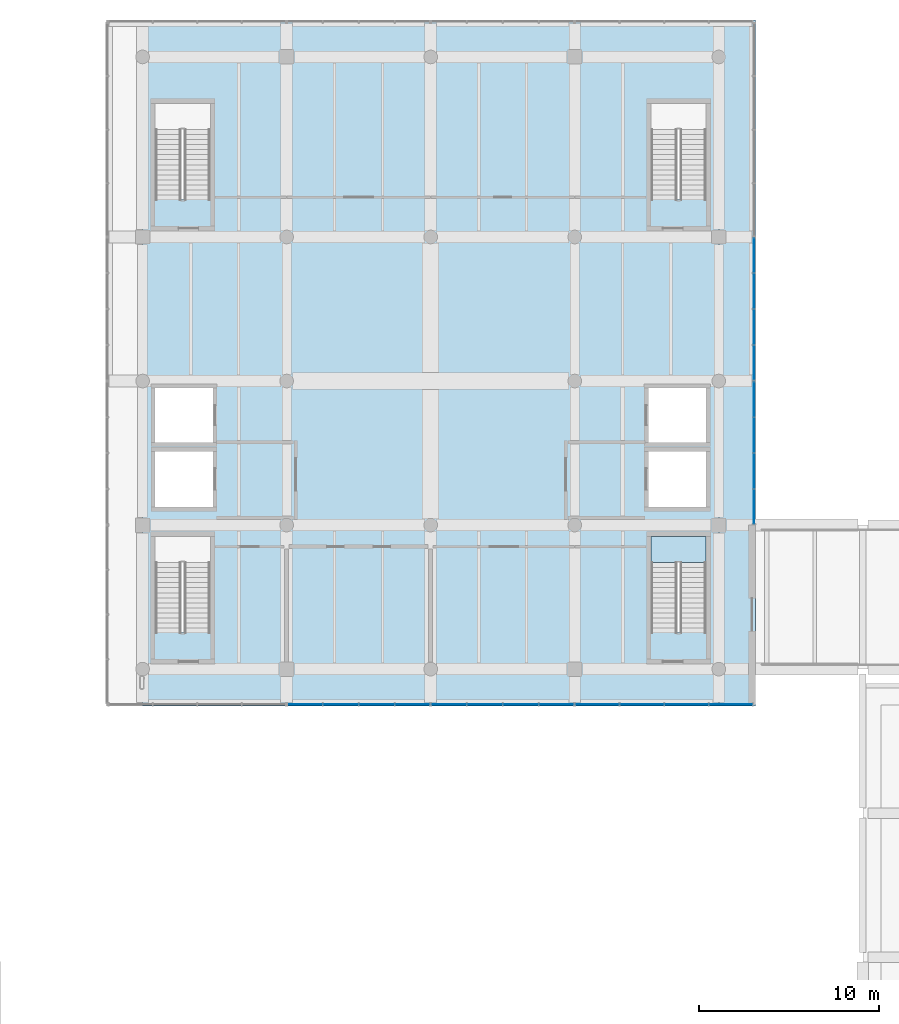
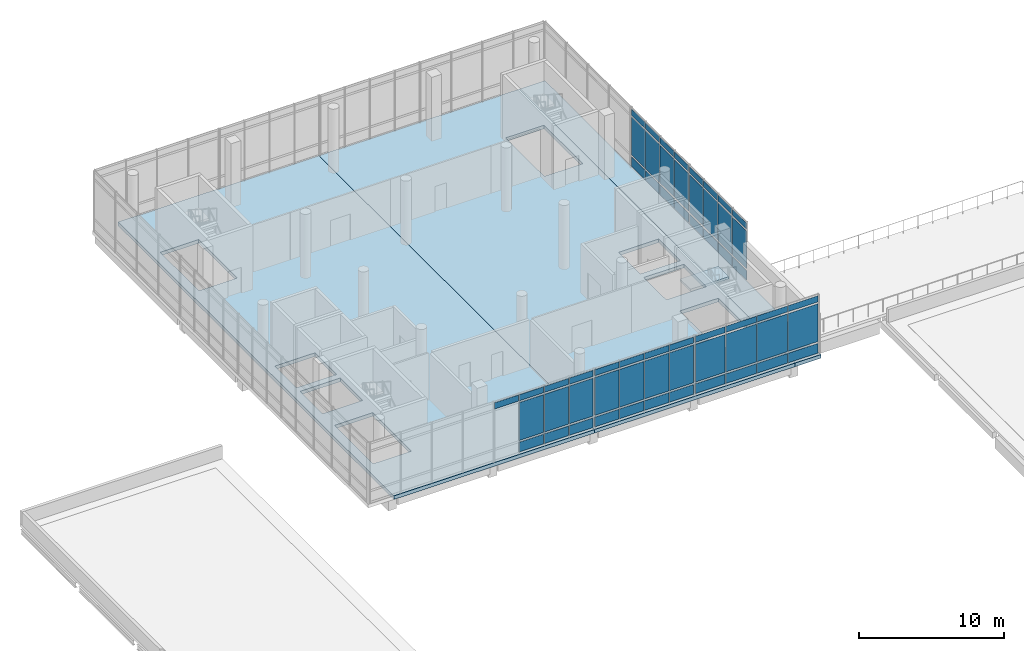
# One storey, part 11 of 20: 58 plates, 4 slabs, 6 elements without a shape of their own.
"""IFC4 building model written with IfcOpenShell, lengths in metres."""

from ifc_helpers import new_model, si_unit, direction, frame, origin, origin_2d, place, context, subcontext, project, spatial, polyline, rectangle, outline, extrude, material, layer, layer_set, type_object, element, aggregate, save


model = new_model("IFC4")

# Units and contexts
model_context = context("Model", 3, precision=1e-05, world=origin(), true_north=direction((0.0, 1.0)))
body_context = subcontext(model_context, "Body", "Model", "MODEL_VIEW")
ifc_project = project(units=[si_unit("LENGTHUNIT", "METRE"), si_unit("AREAUNIT", "SQUARE_METRE"), si_unit("VOLUMEUNIT", "CUBIC_METRE"), si_unit("PLANEANGLEUNIT", "RADIAN"), si_unit("MASSUNIT", "GRAM", prefix="KILO")], contexts=[model_context])

# Site, building, storey
site_placement = place(None, origin())
site = spatial("IfcSite", under=ifc_project, at=site_placement, CompositionType="ELEMENT")
building_placement = place(site_placement, origin())
building = spatial("IfcBuilding", under=site, at=building_placement, Name="Pecanmere Concourse Central Library", CompositionType="ELEMENT")
storey_placement = place(building_placement, frame((0.0, 0.0, 24.89990234375)))
storey = spatial("IfcBuildingStorey", under=building, at=storey_placement, Name="L06", CompositionType="ELEMENT", Elevation=24.89990234375)

# Curtain wall, plates
ifc_material_1 = material(Name="Anodized bronze aluminium alloy 6063-T6", Category="aluminium")
curtain_wall_type = type_object("IfcCurtainWallType", Name="CW_PLUMB_BANDED", PredefinedType="USERDEFINED", material=ifc_material_1)
curtain_wall_1_placement = place(storey_placement, origin())
curtain_wall_1 = element("IfcCurtainWall", 1, at=curtain_wall_1_placement, inside=storey, type_object=curtain_wall_type, Name="Unitised Curtain Wall CW-02 L06-075", ObjectType="UNITISED CURTAIN WALL", PredefinedType="USERDEFINED")
ifc_material_2 = material(Name="White ceramic-fritted insulated spandrel glazing", Category="glass")
ifc_layer_1 = layer(ifc_material_2, 0.053955078125, Name="CWP_SPN_54")
ifc_layer_set_1 = layer_set([ifc_layer_1], Name="White ceramic-fritted insulated spandrel glazing")
plate_type_1 = type_object("IfcPlateType", Name="CWP_SPN_54", PredefinedType="CURTAIN_PANEL", material=ifc_layer_set_1)
plate_1_placement = place(storey_placement, frame((83.001220703125, 88.03857421875, 0.16015625), z_axis=(0.0, 0.0, 1.0), x_axis=(1.0, 0.0, 0.0)))
plate_1 = element("IfcPlate", 2, at=plate_1_placement, type_object=plate_type_1, Name="CW-02 Spandrel Panel 2.1", PredefinedType="CURTAIN_PANEL", context=body_context, shape_type="SweptSolid", body=[
    extrude(rectangle(XDim=1.9326171875, YDim=0.035888671875, at=origin_2d()), origin(), (0.0, 0.0, 1.0), 0.81005859375),
])
plate_2_placement = place(storey_placement, frame((84.998779296875, 88.03857421875, 0.16015625), z_axis=(0.0, 0.0, 1.0), x_axis=(1.0, 0.0, 0.0)))
plate_2 = element("IfcPlate", 3, at=plate_2_placement, type_object=plate_type_1, Name="CW-02 Spandrel Panel 3.1", PredefinedType="CURTAIN_PANEL", context=body_context, shape_type="SweptSolid", body=[
    extrude(rectangle(XDim=1.9326171875, YDim=0.035888671875, at=origin_2d()), origin(), (0.0, 0.0, 1.0), 0.81005859375),
])
plate_3_placement = place(storey_placement, frame((86.97998046875, 88.03857421875, 0.16015625), z_axis=(0.0, 0.0, 1.0), x_axis=(1.0, 0.0, 0.0)))
plate_3 = element("IfcPlate", 4, at=plate_3_placement, type_object=plate_type_1, Name="CW-02 Spandrel Panel 4.1", PredefinedType="CURTAIN_PANEL", context=body_context, shape_type="SweptSolid", body=[
    extrude(rectangle(XDim=1.89990234375, YDim=0.035888671875, at=origin_2d()), origin(), (0.0, 0.0, 1.0), 0.81005859375),
])

curtain_wall_2_placement = place(storey_placement, origin())
curtain_wall_2 = element("IfcCurtainWall", 5, at=curtain_wall_2_placement, inside=storey, type_object=curtain_wall_type, Name="Unitised Curtain Wall CW-02 L06-076", ObjectType="UNITISED CURTAIN WALL", PredefinedType="USERDEFINED")
plate_4_placement = place(storey_placement, frame((89.02001953125, 88.03857421875, 0.16015625), z_axis=(0.0, 0.0, 1.0), x_axis=(1.0, 0.0, 0.0)))
plate_4 = element("IfcPlate", 6, at=plate_4_placement, type_object=plate_type_1, Name="CW-02 Spandrel Panel 1.1", PredefinedType="CURTAIN_PANEL", context=body_context, shape_type="SweptSolid", body=[
    extrude(rectangle(XDim=1.89990234375, YDim=0.035888671875, at=origin_2d()), origin(), (0.0, 0.0, 1.0), 0.81005859375),
])
plate_5_placement = place(storey_placement, frame((91.001220703125, 88.03857421875, 0.16015625), z_axis=(0.0, 0.0, 1.0), x_axis=(1.0, 0.0, 0.0)))
plate_5 = element("IfcPlate", 7, at=plate_5_placement, type_object=plate_type_1, Name="CW-02 Spandrel Panel 2.1", PredefinedType="CURTAIN_PANEL", context=body_context, shape_type="SweptSolid", body=[
    extrude(rectangle(XDim=1.9326171875, YDim=0.035888671875, at=origin_2d()), origin(), (0.0, 0.0, 1.0), 0.81005859375),
])
plate_6_placement = place(storey_placement, frame((92.998779296875, 88.03857421875, 0.16015625), z_axis=(0.0, 0.0, 1.0), x_axis=(1.0, 0.0, 0.0)))
plate_6 = element("IfcPlate", 8, at=plate_6_placement, type_object=plate_type_1, Name="CW-02 Spandrel Panel 3.1", PredefinedType="CURTAIN_PANEL", context=body_context, shape_type="SweptSolid", body=[
    extrude(rectangle(XDim=1.9326171875, YDim=0.035888671875, at=origin_2d()), origin(), (0.0, 0.0, 1.0), 0.81005859375),
])
plate_7_placement = place(storey_placement, frame((94.97998046875, 88.03857421875, 0.16015625), z_axis=(0.0, 0.0, 1.0), x_axis=(1.0, 0.0, 0.0)))
plate_7 = element("IfcPlate", 9, at=plate_7_placement, type_object=plate_type_1, Name="CW-02 Spandrel Panel 4.1", PredefinedType="CURTAIN_PANEL", context=body_context, shape_type="SweptSolid", body=[
    extrude(rectangle(XDim=1.89990234375, YDim=0.035888671875, at=origin_2d()), origin(), (0.0, 0.0, 1.0), 0.81005859375),
])

curtain_wall_3_placement = place(storey_placement, origin())
curtain_wall_3 = element("IfcCurtainWall", 10, at=curtain_wall_3_placement, inside=storey, type_object=curtain_wall_type, Name="Unitised Curtain Wall CW-02 L06-077", ObjectType="UNITISED CURTAIN WALL", PredefinedType="USERDEFINED")
plate_8_placement = place(storey_placement, frame((97.2607421875, 88.03857421875, 0.16015625), z_axis=(0.0, 0.0, 1.0), x_axis=(1.0, 0.0, 0.0)))
plate_8 = element("IfcPlate", 11, at=plate_8_placement, type_object=plate_type_1, Name="CW-02 Spandrel Panel 1.1", PredefinedType="CURTAIN_PANEL", context=body_context, shape_type="SweptSolid", body=[
    extrude(rectangle(XDim=2.381591796875, YDim=0.035888671875, at=origin_2d()), origin(), (0.0, 0.0, 1.0), 0.81005859375),
])
plate_9_placement = place(storey_placement, frame((99.7236328125, 88.03857421875, 0.16015625), z_axis=(0.0, 0.0, 1.0), x_axis=(1.0, 0.0, 0.0)))
plate_9 = element("IfcPlate", 12, at=plate_9_placement, type_object=plate_type_1, Name="CW-02 Spandrel Panel 2.1", PredefinedType="CURTAIN_PANEL", context=body_context, shape_type="SweptSolid", body=[
    extrude(rectangle(XDim=2.4140625, YDim=0.035888671875, at=origin_2d()), origin(), (0.0, 0.0, 1.0), 0.81005859375),
])
plate_10_placement = place(storey_placement, frame((102.202880859375, 88.03857421875, 0.16015625), z_axis=(0.0, 0.0, 1.0), x_axis=(1.0, 0.0, 0.0)))
plate_10 = element("IfcPlate", 13, at=plate_10_placement, type_object=plate_type_1, Name="CW-02 Spandrel Panel 3.1", PredefinedType="CURTAIN_PANEL", context=body_context, shape_type="SweptSolid", body=[
    extrude(rectangle(XDim=2.4140625, YDim=0.035888671875, at=origin_2d()), origin(), (0.0, 0.0, 1.0), 0.81005859375),
])
plate_11_placement = place(storey_placement, frame((104.665771484375, 88.03857421875, 0.16015625), z_axis=(0.0, 0.0, 1.0), x_axis=(1.0, 0.0, 0.0)))
plate_11 = element("IfcPlate", 14, at=plate_11_placement, type_object=plate_type_1, Name="CW-02 Spandrel Panel 4.1", PredefinedType="CURTAIN_PANEL", context=body_context, shape_type="SweptSolid", body=[
    extrude(rectangle(XDim=2.381591796875, YDim=0.035888671875, at=origin_2d()), origin(), (0.0, 0.0, 1.0), 0.81005859375),
])

curtain_wall_4_placement = place(storey_placement, origin())
curtain_wall_4 = element("IfcCurtainWall", 15, at=curtain_wall_4_placement, inside=storey, type_object=curtain_wall_type, Name="Unitised Curtain Wall CW-02 L06-078", ObjectType="UNITISED CURTAIN WALL", PredefinedType="USERDEFINED")
plate_12_placement = place(storey_placement, frame((105.96142578125, 99.02001953125, 0.16015625), z_axis=(0.0, 0.0, 1.0), x_axis=(0.0, 1.0, 0.0)))
plate_12 = element("IfcPlate", 16, at=plate_12_placement, type_object=plate_type_1, Name="CW-02 Spandrel Panel 1.1", PredefinedType="CURTAIN_PANEL", context=body_context, shape_type="SweptSolid", body=[
    extrude(rectangle(XDim=1.89990234375, YDim=0.035888671875, at=origin_2d()), origin(), (0.0, 0.0, 1.0), 0.81005859375),
])
plate_13_placement = place(storey_placement, frame((105.96142578125, 101.001220703125, 0.16015625), z_axis=(0.0, 0.0, 1.0), x_axis=(0.0, 1.0, 0.0)))
plate_13 = element("IfcPlate", 17, at=plate_13_placement, type_object=plate_type_1, Name="CW-02 Spandrel Panel 2.1", PredefinedType="CURTAIN_PANEL", context=body_context, shape_type="SweptSolid", body=[
    extrude(rectangle(XDim=1.9326171875, YDim=0.035888671875, at=origin_2d()), origin(), (0.0, 0.0, 1.0), 0.81005859375),
])
plate_14_placement = place(storey_placement, frame((105.96142578125, 102.998779296875, 0.16015625), z_axis=(0.0, 0.0, 1.0), x_axis=(0.0, 1.0, 0.0)))
plate_14 = element("IfcPlate", 18, at=plate_14_placement, type_object=plate_type_1, Name="CW-02 Spandrel Panel 3.1", PredefinedType="CURTAIN_PANEL", context=body_context, shape_type="SweptSolid", body=[
    extrude(rectangle(XDim=1.9326171875, YDim=0.035888671875, at=origin_2d()), origin(), (0.0, 0.0, 1.0), 0.81005859375),
])
plate_15_placement = place(storey_placement, frame((105.96142578125, 104.97998046875, 0.16015625), z_axis=(0.0, 0.0, 1.0), x_axis=(0.0, 1.0, 0.0)))
plate_15 = element("IfcPlate", 19, at=plate_15_placement, type_object=plate_type_1, Name="CW-02 Spandrel Panel 4.1", PredefinedType="CURTAIN_PANEL", context=body_context, shape_type="SweptSolid", body=[
    extrude(rectangle(XDim=1.89990234375, YDim=0.035888671875, at=origin_2d()), origin(), (0.0, 0.0, 1.0), 0.81005859375),
])

curtain_wall_5_placement = place(storey_placement, origin())
curtain_wall_5 = element("IfcCurtainWall", 20, at=curtain_wall_5_placement, inside=storey, type_object=curtain_wall_type, Name="Unitised Curtain Wall CW-02 L06-079", ObjectType="UNITISED CURTAIN WALL", PredefinedType="USERDEFINED")
plate_16_placement = place(storey_placement, frame((105.96142578125, 107.02001953125, 0.16015625), z_axis=(0.0, 0.0, 1.0), x_axis=(0.0, 1.0, 0.0)))
plate_16 = element("IfcPlate", 21, at=plate_16_placement, type_object=plate_type_1, Name="CW-02 Spandrel Panel 1.1", PredefinedType="CURTAIN_PANEL", context=body_context, shape_type="SweptSolid", body=[
    extrude(rectangle(XDim=1.89990234375, YDim=0.035888671875, at=origin_2d()), origin(), (0.0, 0.0, 1.0), 0.81005859375),
])
plate_17_placement = place(storey_placement, frame((105.96142578125, 109.001220703125, 0.16015625), z_axis=(0.0, 0.0, 1.0), x_axis=(0.0, 1.0, 0.0)))
plate_17 = element("IfcPlate", 22, at=plate_17_placement, type_object=plate_type_1, Name="CW-02 Spandrel Panel 2.1", PredefinedType="CURTAIN_PANEL", context=body_context, shape_type="SweptSolid", body=[
    extrude(rectangle(XDim=1.9326171875, YDim=0.035888671875, at=origin_2d()), origin(), (0.0, 0.0, 1.0), 0.81005859375),
])
plate_18_placement = place(storey_placement, frame((105.96142578125, 110.998779296875, 0.16015625), z_axis=(0.0, 0.0, 1.0), x_axis=(0.0, 1.0, 0.0)))
plate_18 = element("IfcPlate", 23, at=plate_18_placement, type_object=plate_type_1, Name="CW-02 Spandrel Panel 3.1", PredefinedType="CURTAIN_PANEL", context=body_context, shape_type="SweptSolid", body=[
    extrude(rectangle(XDim=1.9326171875, YDim=0.035888671875, at=origin_2d()), origin(), (0.0, 0.0, 1.0), 0.81005859375),
])
plate_19_placement = place(storey_placement, frame((105.96142578125, 112.97998046875, 0.16015625), z_axis=(0.0, 0.0, 1.0), x_axis=(0.0, 1.0, 0.0)))
plate_19 = element("IfcPlate", 24, at=plate_19_placement, type_object=plate_type_1, Name="CW-02 Spandrel Panel 4.1", PredefinedType="CURTAIN_PANEL", context=body_context, shape_type="SweptSolid", body=[
    extrude(rectangle(XDim=1.89990234375, YDim=0.035888671875, at=origin_2d()), origin(), (0.0, 0.0, 1.0), 0.81005859375),
])

# Plate
ifc_material_3 = material(Name="Low-iron clear insulated glazing", Category="glass")
ifc_layer_2 = layer(ifc_material_3, 0.035888671875, Name="CWP_VIS_36")
ifc_layer_set_2 = layer_set([ifc_layer_2], Name="Low-iron clear insulated glazing")
plate_type_2 = type_object("IfcPlateType", Name="CWP_VIS_36", PredefinedType="CURTAIN_PANEL", material=ifc_layer_set_2)
plate_20_placement = place(storey_placement, frame((81.02001953125, 88.03857421875, 4.47021484375), z_axis=(0.0, 0.0, 1.0), x_axis=(1.0, 0.0, 0.0)))
plate_20 = element("IfcPlate", 25, at=plate_20_placement, type_object=plate_type_2, Name="CW-02 Vision Panel 1.3", PredefinedType="CURTAIN_PANEL", context=body_context, shape_type="SweptSolid", body=[
    extrude(rectangle(XDim=1.89990234375, YDim=0.035888671875, at=origin_2d()), origin(), (0.0, 0.0, 1.0), 0.510009765625),
])

plate_21_placement = place(storey_placement, frame((83.001220703125, 88.03857421875, 1.13037109375), z_axis=(0.0, 0.0, 1.0), x_axis=(1.0, 0.0, 0.0)))
plate_21 = element("IfcPlate", 26, at=plate_21_placement, type_object=plate_type_2, Name="CW-02 Vision Panel 2.2", PredefinedType="CURTAIN_PANEL", context=body_context, shape_type="SweptSolid", body=[
    extrude(rectangle(XDim=1.9326171875, YDim=0.035888671875, at=origin_2d()), origin(), (0.0, 0.0, 1.0), 3.179931640625),
])

plate_22_placement = place(storey_placement, frame((83.001220703125, 88.03857421875, 4.47021484375), z_axis=(0.0, 0.0, 1.0), x_axis=(1.0, 0.0, 0.0)))
plate_22 = element("IfcPlate", 27, at=plate_22_placement, type_object=plate_type_2, Name="CW-02 Vision Panel 2.3", PredefinedType="CURTAIN_PANEL", context=body_context, shape_type="SweptSolid", body=[
    extrude(rectangle(XDim=1.9326171875, YDim=0.035888671875, at=origin_2d()), origin(), (0.0, 0.0, 1.0), 0.510009765625),
])

plate_23_placement = place(storey_placement, frame((84.998779296875, 88.03857421875, 1.13037109375), z_axis=(0.0, 0.0, 1.0), x_axis=(1.0, 0.0, 0.0)))
plate_23 = element("IfcPlate", 28, at=plate_23_placement, type_object=plate_type_2, Name="CW-02 Vision Panel 3.2", PredefinedType="CURTAIN_PANEL", context=body_context, shape_type="SweptSolid", body=[
    extrude(rectangle(XDim=1.9326171875, YDim=0.035888671875, at=origin_2d()), origin(), (0.0, 0.0, 1.0), 3.179931640625),
])

plate_24_placement = place(storey_placement, frame((84.998779296875, 88.03857421875, 4.47021484375), z_axis=(0.0, 0.0, 1.0), x_axis=(1.0, 0.0, 0.0)))
plate_24 = element("IfcPlate", 29, at=plate_24_placement, type_object=plate_type_2, Name="CW-02 Vision Panel 3.3", PredefinedType="CURTAIN_PANEL", context=body_context, shape_type="SweptSolid", body=[
    extrude(rectangle(XDim=1.9326171875, YDim=0.035888671875, at=origin_2d()), origin(), (0.0, 0.0, 1.0), 0.510009765625),
])

plate_25_placement = place(storey_placement, frame((86.97998046875, 88.03857421875, 1.13037109375), z_axis=(0.0, 0.0, 1.0), x_axis=(1.0, 0.0, 0.0)))
plate_25 = element("IfcPlate", 30, at=plate_25_placement, type_object=plate_type_2, Name="CW-02 Vision Panel 4.2", PredefinedType="CURTAIN_PANEL", context=body_context, shape_type="SweptSolid", body=[
    extrude(rectangle(XDim=1.89990234375, YDim=0.035888671875, at=origin_2d()), origin(), (0.0, 0.0, 1.0), 3.179931640625),
])

plate_26_placement = place(storey_placement, frame((86.97998046875, 88.03857421875, 4.47021484375), z_axis=(0.0, 0.0, 1.0), x_axis=(1.0, 0.0, 0.0)))
plate_26 = element("IfcPlate", 31, at=plate_26_placement, type_object=plate_type_2, Name="CW-02 Vision Panel 4.3", PredefinedType="CURTAIN_PANEL", context=body_context, shape_type="SweptSolid", body=[
    extrude(rectangle(XDim=1.89990234375, YDim=0.035888671875, at=origin_2d()), origin(), (0.0, 0.0, 1.0), 0.510009765625),
])

aggregate(curtain_wall_1, [plate_20, plate_1, plate_21, plate_22, plate_2, plate_23, plate_24, plate_3, plate_25, plate_26])

plate_27_placement = place(storey_placement, frame((89.02001953125, 88.03857421875, 1.13037109375), z_axis=(0.0, 0.0, 1.0), x_axis=(1.0, 0.0, 0.0)))
plate_27 = element("IfcPlate", 32, at=plate_27_placement, type_object=plate_type_2, Name="CW-02 Vision Panel 1.2", PredefinedType="CURTAIN_PANEL", context=body_context, shape_type="SweptSolid", body=[
    extrude(rectangle(XDim=1.89990234375, YDim=0.035888671875, at=origin_2d()), origin(), (0.0, 0.0, 1.0), 3.179931640625),
])

plate_28_placement = place(storey_placement, frame((89.02001953125, 88.03857421875, 4.47021484375), z_axis=(0.0, 0.0, 1.0), x_axis=(1.0, 0.0, 0.0)))
plate_28 = element("IfcPlate", 33, at=plate_28_placement, type_object=plate_type_2, Name="CW-02 Vision Panel 1.3", PredefinedType="CURTAIN_PANEL", context=body_context, shape_type="SweptSolid", body=[
    extrude(rectangle(XDim=1.89990234375, YDim=0.035888671875, at=origin_2d()), origin(), (0.0, 0.0, 1.0), 0.510009765625),
])

plate_29_placement = place(storey_placement, frame((91.001220703125, 88.03857421875, 1.13037109375), z_axis=(0.0, 0.0, 1.0), x_axis=(1.0, 0.0, 0.0)))
plate_29 = element("IfcPlate", 34, at=plate_29_placement, type_object=plate_type_2, Name="CW-02 Vision Panel 2.2", PredefinedType="CURTAIN_PANEL", context=body_context, shape_type="SweptSolid", body=[
    extrude(rectangle(XDim=1.9326171875, YDim=0.035888671875, at=origin_2d()), origin(), (0.0, 0.0, 1.0), 3.179931640625),
])

plate_30_placement = place(storey_placement, frame((91.001220703125, 88.03857421875, 4.47021484375), z_axis=(0.0, 0.0, 1.0), x_axis=(1.0, 0.0, 0.0)))
plate_30 = element("IfcPlate", 35, at=plate_30_placement, type_object=plate_type_2, Name="CW-02 Vision Panel 2.3", PredefinedType="CURTAIN_PANEL", context=body_context, shape_type="SweptSolid", body=[
    extrude(rectangle(XDim=1.9326171875, YDim=0.035888671875, at=origin_2d()), origin(), (0.0, 0.0, 1.0), 0.510009765625),
])

plate_31_placement = place(storey_placement, frame((92.998779296875, 88.03857421875, 1.13037109375), z_axis=(0.0, 0.0, 1.0), x_axis=(1.0, 0.0, 0.0)))
plate_31 = element("IfcPlate", 36, at=plate_31_placement, type_object=plate_type_2, Name="CW-02 Vision Panel 3.2", PredefinedType="CURTAIN_PANEL", context=body_context, shape_type="SweptSolid", body=[
    extrude(rectangle(XDim=1.9326171875, YDim=0.035888671875, at=origin_2d()), origin(), (0.0, 0.0, 1.0), 3.179931640625),
])

plate_32_placement = place(storey_placement, frame((92.998779296875, 88.03857421875, 4.47021484375), z_axis=(0.0, 0.0, 1.0), x_axis=(1.0, 0.0, 0.0)))
plate_32 = element("IfcPlate", 37, at=plate_32_placement, type_object=plate_type_2, Name="CW-02 Vision Panel 3.3", PredefinedType="CURTAIN_PANEL", context=body_context, shape_type="SweptSolid", body=[
    extrude(rectangle(XDim=1.9326171875, YDim=0.035888671875, at=origin_2d()), origin(), (0.0, 0.0, 1.0), 0.510009765625),
])

plate_33_placement = place(storey_placement, frame((94.97998046875, 88.03857421875, 1.13037109375), z_axis=(0.0, 0.0, 1.0), x_axis=(1.0, 0.0, 0.0)))
plate_33 = element("IfcPlate", 38, at=plate_33_placement, type_object=plate_type_2, Name="CW-02 Vision Panel 4.2", PredefinedType="CURTAIN_PANEL", context=body_context, shape_type="SweptSolid", body=[
    extrude(rectangle(XDim=1.89990234375, YDim=0.035888671875, at=origin_2d()), origin(), (0.0, 0.0, 1.0), 3.179931640625),
])

plate_34_placement = place(storey_placement, frame((94.97998046875, 88.03857421875, 4.47021484375), z_axis=(0.0, 0.0, 1.0), x_axis=(1.0, 0.0, 0.0)))
plate_34 = element("IfcPlate", 39, at=plate_34_placement, type_object=plate_type_2, Name="CW-02 Vision Panel 4.3", PredefinedType="CURTAIN_PANEL", context=body_context, shape_type="SweptSolid", body=[
    extrude(rectangle(XDim=1.89990234375, YDim=0.035888671875, at=origin_2d()), origin(), (0.0, 0.0, 1.0), 0.510009765625),
])

aggregate(curtain_wall_2, [plate_4, plate_27, plate_28, plate_5, plate_29, plate_30, plate_6, plate_31, plate_32, plate_7, plate_33, plate_34])

plate_35_placement = place(storey_placement, frame((97.2607421875, 88.03857421875, 1.13037109375), z_axis=(0.0, 0.0, 1.0), x_axis=(1.0, 0.0, 0.0)))
plate_35 = element("IfcPlate", 40, at=plate_35_placement, type_object=plate_type_2, Name="CW-02 Vision Panel 1.2", PredefinedType="CURTAIN_PANEL", context=body_context, shape_type="SweptSolid", body=[
    extrude(rectangle(XDim=2.381591796875, YDim=0.035888671875, at=origin_2d()), origin(), (0.0, 0.0, 1.0), 3.179931640625),
])

plate_36_placement = place(storey_placement, frame((97.2607421875, 88.03857421875, 4.47021484375), z_axis=(0.0, 0.0, 1.0), x_axis=(1.0, 0.0, 0.0)))
plate_36 = element("IfcPlate", 41, at=plate_36_placement, type_object=plate_type_2, Name="CW-02 Vision Panel 1.3", PredefinedType="CURTAIN_PANEL", context=body_context, shape_type="SweptSolid", body=[
    extrude(rectangle(XDim=2.381591796875, YDim=0.035888671875, at=origin_2d()), origin(), (0.0, 0.0, 1.0), 0.510009765625),
])

plate_37_placement = place(storey_placement, frame((99.7236328125, 88.03857421875, 1.13037109375), z_axis=(0.0, 0.0, 1.0), x_axis=(1.0, 0.0, 0.0)))
plate_37 = element("IfcPlate", 42, at=plate_37_placement, type_object=plate_type_2, Name="CW-02 Vision Panel 2.2", PredefinedType="CURTAIN_PANEL", context=body_context, shape_type="SweptSolid", body=[
    extrude(rectangle(XDim=2.4140625, YDim=0.035888671875, at=origin_2d()), origin(), (0.0, 0.0, 1.0), 3.179931640625),
])

plate_38_placement = place(storey_placement, frame((99.7236328125, 88.03857421875, 4.47021484375), z_axis=(0.0, 0.0, 1.0), x_axis=(1.0, 0.0, 0.0)))
plate_38 = element("IfcPlate", 43, at=plate_38_placement, type_object=plate_type_2, Name="CW-02 Vision Panel 2.3", PredefinedType="CURTAIN_PANEL", context=body_context, shape_type="SweptSolid", body=[
    extrude(rectangle(XDim=2.4140625, YDim=0.035888671875, at=origin_2d()), origin(), (0.0, 0.0, 1.0), 0.510009765625),
])

plate_39_placement = place(storey_placement, frame((102.202880859375, 88.03857421875, 1.13037109375), z_axis=(0.0, 0.0, 1.0), x_axis=(1.0, 0.0, 0.0)))
plate_39 = element("IfcPlate", 44, at=plate_39_placement, type_object=plate_type_2, Name="CW-02 Vision Panel 3.2", PredefinedType="CURTAIN_PANEL", context=body_context, shape_type="SweptSolid", body=[
    extrude(rectangle(XDim=2.4140625, YDim=0.035888671875, at=origin_2d()), origin(), (0.0, 0.0, 1.0), 3.179931640625),
])

plate_40_placement = place(storey_placement, frame((102.202880859375, 88.03857421875, 4.47021484375), z_axis=(0.0, 0.0, 1.0), x_axis=(1.0, 0.0, 0.0)))
plate_40 = element("IfcPlate", 45, at=plate_40_placement, type_object=plate_type_2, Name="CW-02 Vision Panel 3.3", PredefinedType="CURTAIN_PANEL", context=body_context, shape_type="SweptSolid", body=[
    extrude(rectangle(XDim=2.4140625, YDim=0.035888671875, at=origin_2d()), origin(), (0.0, 0.0, 1.0), 0.510009765625),
])

plate_41_placement = place(storey_placement, frame((104.665771484375, 88.03857421875, 1.13037109375), z_axis=(0.0, 0.0, 1.0), x_axis=(1.0, 0.0, 0.0)))
plate_41 = element("IfcPlate", 46, at=plate_41_placement, type_object=plate_type_2, Name="CW-02 Vision Panel 4.2", PredefinedType="CURTAIN_PANEL", context=body_context, shape_type="SweptSolid", body=[
    extrude(rectangle(XDim=2.381591796875, YDim=0.035888671875, at=origin_2d()), origin(), (0.0, 0.0, 1.0), 3.179931640625),
])

plate_42_placement = place(storey_placement, frame((104.665771484375, 88.03857421875, 4.47021484375), z_axis=(0.0, 0.0, 1.0), x_axis=(1.0, 0.0, 0.0)))
plate_42 = element("IfcPlate", 47, at=plate_42_placement, type_object=plate_type_2, Name="CW-02 Vision Panel 4.3", PredefinedType="CURTAIN_PANEL", context=body_context, shape_type="SweptSolid", body=[
    extrude(rectangle(XDim=2.381591796875, YDim=0.035888671875, at=origin_2d()), origin(), (0.0, 0.0, 1.0), 0.510009765625),
])

aggregate(curtain_wall_3, [plate_8, plate_35, plate_36, plate_9, plate_37, plate_38, plate_10, plate_39, plate_40, plate_11, plate_41, plate_42])

plate_43_placement = place(storey_placement, frame((105.96142578125, 99.02001953125, 1.13037109375), z_axis=(0.0, 0.0, 1.0), x_axis=(0.0, 1.0, 0.0)))
plate_43 = element("IfcPlate", 48, at=plate_43_placement, type_object=plate_type_2, Name="CW-02 Vision Panel 1.2", PredefinedType="CURTAIN_PANEL", context=body_context, shape_type="SweptSolid", body=[
    extrude(rectangle(XDim=1.89990234375, YDim=0.035888671875, at=origin_2d()), origin(), (0.0, 0.0, 1.0), 3.179931640625),
])

plate_44_placement = place(storey_placement, frame((105.96142578125, 99.02001953125, 4.47021484375), z_axis=(0.0, 0.0, 1.0), x_axis=(0.0, 1.0, 0.0)))
plate_44 = element("IfcPlate", 49, at=plate_44_placement, type_object=plate_type_2, Name="CW-02 Vision Panel 1.3", PredefinedType="CURTAIN_PANEL", context=body_context, shape_type="SweptSolid", body=[
    extrude(rectangle(XDim=1.89990234375, YDim=0.035888671875, at=origin_2d()), origin(), (0.0, 0.0, 1.0), 0.510009765625),
])

plate_45_placement = place(storey_placement, frame((105.96142578125, 101.001220703125, 1.13037109375), z_axis=(0.0, 0.0, 1.0), x_axis=(0.0, 1.0, 0.0)))
plate_45 = element("IfcPlate", 50, at=plate_45_placement, type_object=plate_type_2, Name="CW-02 Vision Panel 2.2", PredefinedType="CURTAIN_PANEL", context=body_context, shape_type="SweptSolid", body=[
    extrude(rectangle(XDim=1.9326171875, YDim=0.035888671875, at=origin_2d()), origin(), (0.0, 0.0, 1.0), 3.179931640625),
])

plate_46_placement = place(storey_placement, frame((105.96142578125, 101.001220703125, 4.47021484375), z_axis=(0.0, 0.0, 1.0), x_axis=(0.0, 1.0, 0.0)))
plate_46 = element("IfcPlate", 51, at=plate_46_placement, type_object=plate_type_2, Name="CW-02 Vision Panel 2.3", PredefinedType="CURTAIN_PANEL", context=body_context, shape_type="SweptSolid", body=[
    extrude(rectangle(XDim=1.9326171875, YDim=0.035888671875, at=origin_2d()), origin(), (0.0, 0.0, 1.0), 0.510009765625),
])

plate_47_placement = place(storey_placement, frame((105.96142578125, 102.998779296875, 1.13037109375), z_axis=(0.0, 0.0, 1.0), x_axis=(0.0, 1.0, 0.0)))
plate_47 = element("IfcPlate", 52, at=plate_47_placement, type_object=plate_type_2, Name="CW-02 Vision Panel 3.2", PredefinedType="CURTAIN_PANEL", context=body_context, shape_type="SweptSolid", body=[
    extrude(rectangle(XDim=1.9326171875, YDim=0.035888671875, at=origin_2d()), origin(), (0.0, 0.0, 1.0), 3.179931640625),
])

plate_48_placement = place(storey_placement, frame((105.96142578125, 102.998779296875, 4.47021484375), z_axis=(0.0, 0.0, 1.0), x_axis=(0.0, 1.0, 0.0)))
plate_48 = element("IfcPlate", 53, at=plate_48_placement, type_object=plate_type_2, Name="CW-02 Vision Panel 3.3", PredefinedType="CURTAIN_PANEL", context=body_context, shape_type="SweptSolid", body=[
    extrude(rectangle(XDim=1.9326171875, YDim=0.035888671875, at=origin_2d()), origin(), (0.0, 0.0, 1.0), 0.510009765625),
])

plate_49_placement = place(storey_placement, frame((105.96142578125, 104.97998046875, 1.13037109375), z_axis=(0.0, 0.0, 1.0), x_axis=(0.0, 1.0, 0.0)))
plate_49 = element("IfcPlate", 54, at=plate_49_placement, type_object=plate_type_2, Name="CW-02 Vision Panel 4.2", PredefinedType="CURTAIN_PANEL", context=body_context, shape_type="SweptSolid", body=[
    extrude(rectangle(XDim=1.89990234375, YDim=0.035888671875, at=origin_2d()), origin(), (0.0, 0.0, 1.0), 3.179931640625),
])

plate_50_placement = place(storey_placement, frame((105.96142578125, 104.97998046875, 4.47021484375), z_axis=(0.0, 0.0, 1.0), x_axis=(0.0, 1.0, 0.0)))
plate_50 = element("IfcPlate", 55, at=plate_50_placement, type_object=plate_type_2, Name="CW-02 Vision Panel 4.3", PredefinedType="CURTAIN_PANEL", context=body_context, shape_type="SweptSolid", body=[
    extrude(rectangle(XDim=1.89990234375, YDim=0.035888671875, at=origin_2d()), origin(), (0.0, 0.0, 1.0), 0.510009765625),
])

aggregate(curtain_wall_4, [plate_12, plate_43, plate_44, plate_13, plate_45, plate_46, plate_14, plate_47, plate_48, plate_15, plate_49, plate_50])

plate_51_placement = place(storey_placement, frame((105.96142578125, 107.02001953125, 1.13037109375), z_axis=(0.0, 0.0, 1.0), x_axis=(0.0, 1.0, 0.0)))
plate_51 = element("IfcPlate", 56, at=plate_51_placement, type_object=plate_type_2, Name="CW-02 Vision Panel 1.2", PredefinedType="CURTAIN_PANEL", context=body_context, shape_type="SweptSolid", body=[
    extrude(rectangle(XDim=1.89990234375, YDim=0.035888671875, at=origin_2d()), origin(), (0.0, 0.0, 1.0), 3.179931640625),
])

plate_52_placement = place(storey_placement, frame((105.96142578125, 107.02001953125, 4.47021484375), z_axis=(0.0, 0.0, 1.0), x_axis=(0.0, 1.0, 0.0)))
plate_52 = element("IfcPlate", 57, at=plate_52_placement, type_object=plate_type_2, Name="CW-02 Vision Panel 1.3", PredefinedType="CURTAIN_PANEL", context=body_context, shape_type="SweptSolid", body=[
    extrude(rectangle(XDim=1.89990234375, YDim=0.035888671875, at=origin_2d()), origin(), (0.0, 0.0, 1.0), 0.510009765625),
])

plate_53_placement = place(storey_placement, frame((105.96142578125, 109.001220703125, 1.13037109375), z_axis=(0.0, 0.0, 1.0), x_axis=(0.0, 1.0, 0.0)))
plate_53 = element("IfcPlate", 58, at=plate_53_placement, type_object=plate_type_2, Name="CW-02 Vision Panel 2.2", PredefinedType="CURTAIN_PANEL", context=body_context, shape_type="SweptSolid", body=[
    extrude(rectangle(XDim=1.9326171875, YDim=0.035888671875, at=origin_2d()), origin(), (0.0, 0.0, 1.0), 3.179931640625),
])

plate_54_placement = place(storey_placement, frame((105.96142578125, 109.001220703125, 4.47021484375), z_axis=(0.0, 0.0, 1.0), x_axis=(0.0, 1.0, 0.0)))
plate_54 = element("IfcPlate", 59, at=plate_54_placement, type_object=plate_type_2, Name="CW-02 Vision Panel 2.3", PredefinedType="CURTAIN_PANEL", context=body_context, shape_type="SweptSolid", body=[
    extrude(rectangle(XDim=1.9326171875, YDim=0.035888671875, at=origin_2d()), origin(), (0.0, 0.0, 1.0), 0.510009765625),
])

plate_55_placement = place(storey_placement, frame((105.96142578125, 110.998779296875, 1.13037109375), z_axis=(0.0, 0.0, 1.0), x_axis=(0.0, 1.0, 0.0)))
plate_55 = element("IfcPlate", 60, at=plate_55_placement, type_object=plate_type_2, Name="CW-02 Vision Panel 3.2", PredefinedType="CURTAIN_PANEL", context=body_context, shape_type="SweptSolid", body=[
    extrude(rectangle(XDim=1.9326171875, YDim=0.035888671875, at=origin_2d()), origin(), (0.0, 0.0, 1.0), 3.179931640625),
])

plate_56_placement = place(storey_placement, frame((105.96142578125, 110.998779296875, 4.47021484375), z_axis=(0.0, 0.0, 1.0), x_axis=(0.0, 1.0, 0.0)))
plate_56 = element("IfcPlate", 61, at=plate_56_placement, type_object=plate_type_2, Name="CW-02 Vision Panel 3.3", PredefinedType="CURTAIN_PANEL", context=body_context, shape_type="SweptSolid", body=[
    extrude(rectangle(XDim=1.9326171875, YDim=0.035888671875, at=origin_2d()), origin(), (0.0, 0.0, 1.0), 0.510009765625),
])

plate_57_placement = place(storey_placement, frame((105.96142578125, 112.97998046875, 1.13037109375), z_axis=(0.0, 0.0, 1.0), x_axis=(0.0, 1.0, 0.0)))
plate_57 = element("IfcPlate", 62, at=plate_57_placement, type_object=plate_type_2, Name="CW-02 Vision Panel 4.2", PredefinedType="CURTAIN_PANEL", context=body_context, shape_type="SweptSolid", body=[
    extrude(rectangle(XDim=1.89990234375, YDim=0.035888671875, at=origin_2d()), origin(), (0.0, 0.0, 1.0), 3.179931640625),
])

plate_58_placement = place(storey_placement, frame((105.96142578125, 112.97998046875, 4.47021484375), z_axis=(0.0, 0.0, 1.0), x_axis=(0.0, 1.0, 0.0)))
plate_58 = element("IfcPlate", 63, at=plate_58_placement, type_object=plate_type_2, Name="CW-02 Vision Panel 4.3", PredefinedType="CURTAIN_PANEL", context=body_context, shape_type="SweptSolid", body=[
    extrude(rectangle(XDim=1.89990234375, YDim=0.035888671875, at=origin_2d()), origin(), (0.0, 0.0, 1.0), 0.510009765625),
])

aggregate(curtain_wall_5, [plate_16, plate_51, plate_52, plate_17, plate_53, plate_54, plate_18, plate_55, plate_56, plate_19, plate_57, plate_58])

# Stair, slab
ifc_material_4 = material(Name="Concrete C35/45", Category="concrete")
stair_type = type_object("IfcStairType", Name="STAIR_TYPE_ST-02-1800", PredefinedType="USERDEFINED", material=ifc_material_4)
stair_placement = place(storey_placement, origin())
stair = element("IfcStair", 64, at=stair_placement, inside=storey, type_object=stair_type, Name="L06 Protected Stair ST-02", ObjectType="TWO_RETURN_STAIR", PredefinedType="USERDEFINED")
ifc_material_5 = material(Name="Concrete C35/45", Category="concrete")
ifc_layer_3 = layer(ifc_material_5, 0.199951171875, Name="SLAB_LANDING_200")
ifc_layer_set_3 = layer_set([ifc_layer_3], Name="Concrete C35/45")
slab_type_1 = type_object("IfcSlabType", Name="SLAB_LANDING_200", PredefinedType="LANDING", material=ifc_layer_set_3)
slab_1_placement = place(storey_placement, frame((0.0, 0.0, 2.5)))
slab_1 = element("IfcSlab", 65, at=slab_1_placement, type_object=slab_type_1, Name="ST-02-1800 landing 1", PredefinedType="LANDING", context=body_context, shape_type="SweptSolid", body=[
    extrude(outline(polyline([(103.300048828125, 95.919921875), (103.300048828125, 97.3701171875), (100.239990234375, 97.3701171875), (100.239990234375, 95.919921875), (103.300048828125, 95.919921875)])), origin(), (0.0, 0.0, 1.0), 0.2001953125),
])
aggregate(stair, [slab_1])

# Slabs
ifc_material_6 = material(Name="Concrete C35/45", Category="concrete")
ifc_layer_4 = layer(ifc_material_6, 0.300048828125, Name="SLAB_STACK_300")
ifc_layer_set_4 = layer_set([ifc_layer_4], Name="Concrete C35/45")
slab_type_2 = type_object("IfcSlabType", Name="SLAB_STACK_300", PredefinedType="FLOOR", material=ifc_layer_set_4)
slab_2_placement = place(storey_placement, frame((0.0, 0.0, -0.2998046875)))
element("IfcSlab", 66, at=slab_2_placement, inside=storey, type_object=slab_type_2, Name="Floor Slab V1 L06-141", PredefinedType="FLOOR", context=body_context, shape_type="SweptSolid", body=[
    extrude(outline(polyline([(72.0, 87.95849609375), (72.0, 126.04150390625), (88.0, 126.04150390625), (88.0, 87.95849609375), (72.0, 87.95849609375)]), holes=[polyline([(72.699951171875, 97.3701171875), (72.699951171875, 92.030029296875), (75.760009765625, 92.030029296875), (75.760009765625, 97.3701171875), (72.699951171875, 97.3701171875)]), polyline([(72.699951171875, 102.10009765625), (72.699951171875, 99.0), (75.89990234375, 99.0), (75.89990234375, 102.10009765625), (72.699951171875, 102.10009765625)]), polyline([(72.699951171875, 105.60009765625), (72.699951171875, 102.60009765625), (75.89990234375, 102.60009765625), (75.89990234375, 105.60009765625), (72.699951171875, 105.60009765625)]), polyline([(72.699951171875, 121.419921875), (72.699951171875, 116.080078125), (75.760009765625, 116.080078125), (75.760009765625, 121.419921875), (72.699951171875, 121.419921875)])]), origin(), (0.0, 0.0, 1.0), 0.2998046875),
])
slab_3_placement = place(storey_placement, frame((0.0, 0.0, -0.2998046875)))
element("IfcSlab", 67, at=slab_3_placement, inside=storey, type_object=slab_type_2, Name="Floor Slab V1 L06-142", PredefinedType="FLOOR", context=body_context, shape_type="SweptSolid", body=[
    extrude(outline(polyline([(88.0, 87.95849609375), (88.0, 126.04150390625), (104.0, 126.04150390625), (104.0, 87.95849609375), (88.0, 87.95849609375)]), holes=[polyline([(100.239990234375, 97.3701171875), (100.239990234375, 92.030029296875), (103.300048828125, 92.030029296875), (103.300048828125, 97.3701171875), (100.239990234375, 97.3701171875)]), polyline([(100.10009765625, 102.10009765625), (100.10009765625, 99.0), (103.300048828125, 99.0), (103.300048828125, 102.10009765625), (100.10009765625, 102.10009765625)]), polyline([(100.10009765625, 105.60009765625), (100.10009765625, 102.60009765625), (103.300048828125, 102.60009765625), (103.300048828125, 105.60009765625), (100.10009765625, 105.60009765625)]), polyline([(100.239990234375, 121.419921875), (100.239990234375, 116.080078125), (103.300048828125, 116.080078125), (103.300048828125, 121.419921875), (100.239990234375, 121.419921875)])]), origin(), (0.0, 0.0, 1.0), 0.2998046875),
])
slab_4_placement = place(storey_placement, frame((0.0, 0.0, -0.2998046875)))
element("IfcSlab", 68, at=slab_4_placement, inside=storey, type_object=slab_type_2, Name="Floor Slab V1 L06-143", PredefinedType="FLOOR", context=body_context, shape_type="SweptSolid", body=[
    extrude(outline(polyline([(104.0, 126.04150390625), (106.04150390625, 126.04150390625), (106.04150390625, 89.55859375), (105.96142578125, 89.55859375), (105.96142578125, 88.95849609375), (106.04150390625, 88.95849609375), (106.04150390625, 87.95849609375), (104.0, 87.95849609375), (104.0, 126.04150390625)])), origin(), (0.0, 0.0, 1.0), 0.2998046875),
])

save(model, "model.ifc")
